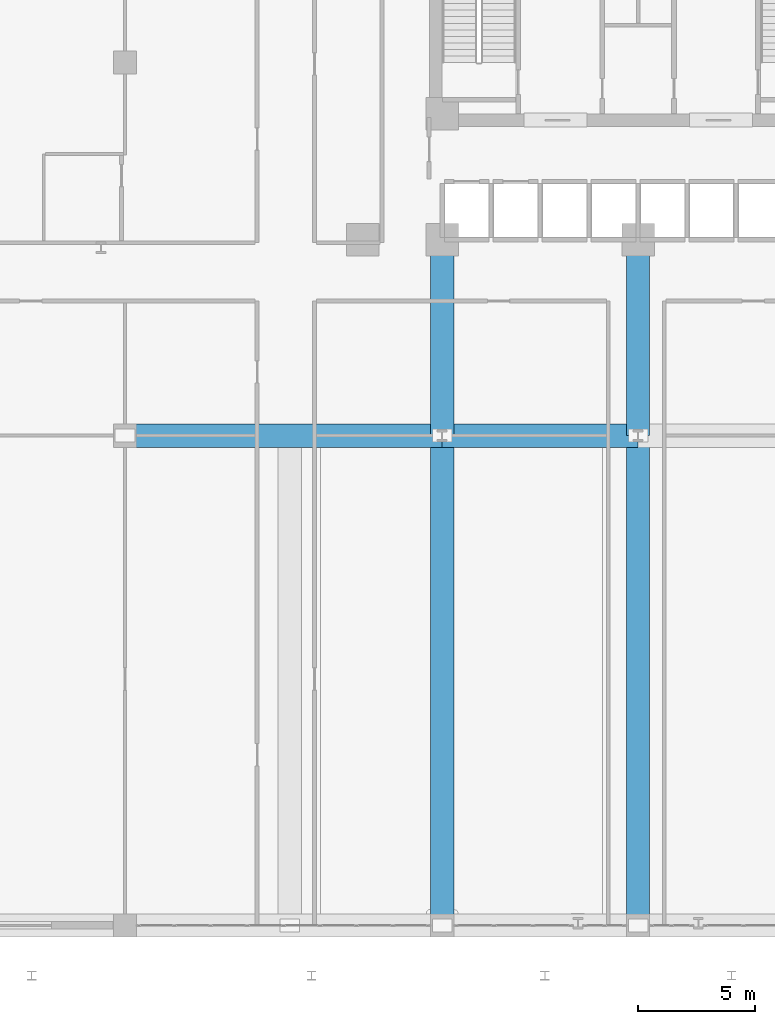
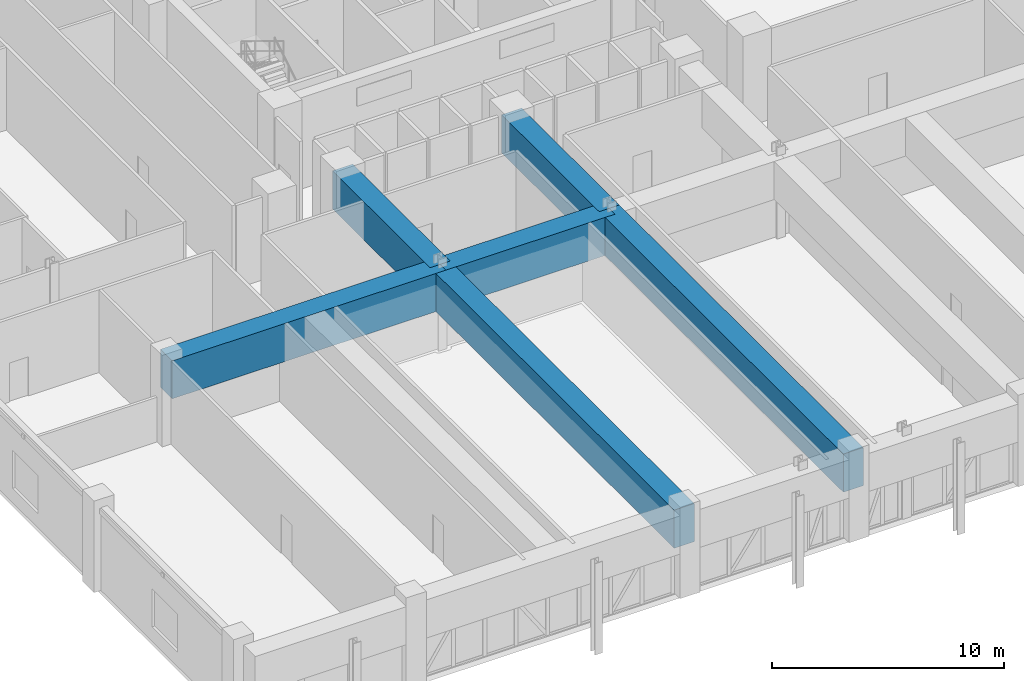
# One storey, part 8 of 44: 6 beams.
"""IFC4 building model written with IfcOpenShell, lengths in metres."""

from ifc_helpers import new_model, si_unit, derived_unit, direction, frame, origin, origin_2d, place, context, subcontext, project, spatial, rectangle, extrude, source, transform, mapped, material, material_profile, profile_set, type_object, element, save


model = new_model("IFC4")

# Units and contexts
model_context = context("Model", 3, precision=1e-05, world=origin(), true_north=direction((0.0, 1.0)))
body_context = subcontext(model_context, "Body", "Model", "MODEL_VIEW")
ifc_project = project(units=[si_unit("LENGTHUNIT", "METRE"), si_unit("AREAUNIT", "SQUARE_METRE"), si_unit("VOLUMEUNIT", "CUBIC_METRE"), si_unit("PLANEANGLEUNIT", "RADIAN"), si_unit("MASSUNIT", "GRAM", prefix="KILO"), derived_unit("THERMALTRANSMITTANCEUNIT", [(si_unit("POWERUNIT", "WATT"), 1), (si_unit("LENGTHUNIT", "METRE"), -2), (si_unit("THERMODYNAMICTEMPERATUREUNIT", "KELVIN"), -1)])], contexts=[model_context])

# Site, building, storey
site_placement = place(None, origin())
site = spatial("IfcSite", under=ifc_project, at=site_placement, CompositionType="ELEMENT")
building_placement = place(site_placement, origin())
building = spatial("IfcBuilding", under=site, at=building_placement, Name="Korsvarv Bourse and Concert Hall", CompositionType="ELEMENT")
storey_placement = place(building_placement, frame((0.0, 0.0, 9.60009765625)))
storey = spatial("IfcBuildingStorey", under=building, at=storey_placement, Name="L02", CompositionType="ELEMENT", Elevation=9.60009765625)

# Beams
ifc_material = material(Name="Concrete C60/75", Category="concrete")
ifc_material_profile = material_profile(ifc_material, rectangle(XDim=1.0, YDim=2.0, at=origin_2d()), Name="RC-BM 1000x2000")
ifc_profile_set = profile_set([ifc_material_profile], Name="Concrete C60/75")
beam_type = type_object("IfcBeamType", Name="BM-TR1", PredefinedType="BEAM", material=ifc_profile_set)
shared_shape_1 = source(origin(), body_context, "Body", "SweptSolid", [
    extrude(rectangle(XDim=1.0, YDim=2.0, at=origin_2d()), origin(), (0.0, 0.0, 1.0), 13.60009765625),
])
beam_placement = place(storey_placement, frame((14.0, 24.0, 3.349853515625), z_axis=(1.0, 0.0, 0.0), x_axis=(0.0, 1.0, 0.0)))
element("IfcBeam", 1, at=beam_placement, inside=storey, type_object=beam_type, Name="L03 Podium Transfer Girder BM-L02-PTR1", PredefinedType="BEAM", context=body_context, shape_type="MappedRepresentation", body=[
    mapped(shared_shape_1, transform((0.0, 0.0, 0.0), scale=1.0)),
])
shared_shape_2 = source(origin(), body_context, "Body", "SweptSolid", [
    extrude(rectangle(XDim=1.0, YDim=2.0, at=origin_2d()), origin(), (0.0, 0.0, 1.0), 8.39990234375),
])
for number, where, z_axis, x_axis, name in (
    (2, (27.60009765625, 24.0, 3.349853515625), (1.0, 0.0, 0.0), (0.0, 1.0, 0.0), "L03 Podium Transfer Girder BM-L02-PTR2"),
    (3, (27.60009765625, 24.0, 3.349853515625), (0.0, 1.0, 0.0), (-1.0, 0.0, 0.0), "L03 Podium Transfer Girder BM-L02-PTR6"),
    (4, (36.0, 24.0, 3.349853515625), (0.0, 1.0, 0.0), (-1.0, 0.0, 0.0), "L03 Podium Transfer Girder BM-L02-PTR8"),
):
    element("IfcBeam", number, at=place(storey_placement, frame(where, z_axis=z_axis, x_axis=x_axis)), inside=storey, type_object=beam_type, Name=name, PredefinedType="BEAM", context=body_context, shape_type="MappedRepresentation", body=[
        mapped(shared_shape_2, transform((0.0, 0.0, 0.0), scale=1.0)),
    ])
shared_shape_3 = source(origin(), body_context, "Body", "SweptSolid", [
    extrude(rectangle(XDim=1.0, YDim=2.0, at=origin_2d()), origin(), (0.0, 0.0, 1.0), 21.0),
])
for number, where, z_axis, x_axis, name in (
    (5, (27.60009765625, 3.0, 3.349853515625), (0.0, 1.0, 0.0), (-1.0, 0.0, 0.0), "L03 Podium Transfer Girder BM-L02-PTR5"),
    (6, (36.0, 3.0, 3.349853515625), (0.0, 1.0, 0.0), (-1.0, 0.0, 0.0), "L03 Podium Transfer Girder BM-L02-PTR7"),
):
    element("IfcBeam", number, at=place(storey_placement, frame(where, z_axis=z_axis, x_axis=x_axis)), inside=storey, type_object=beam_type, Name=name, PredefinedType="BEAM", context=body_context, shape_type="MappedRepresentation", body=[
        mapped(shared_shape_3, transform((0.0, 0.0, 0.0), scale=1.0)),
    ])

save(model, "model.ifc")
